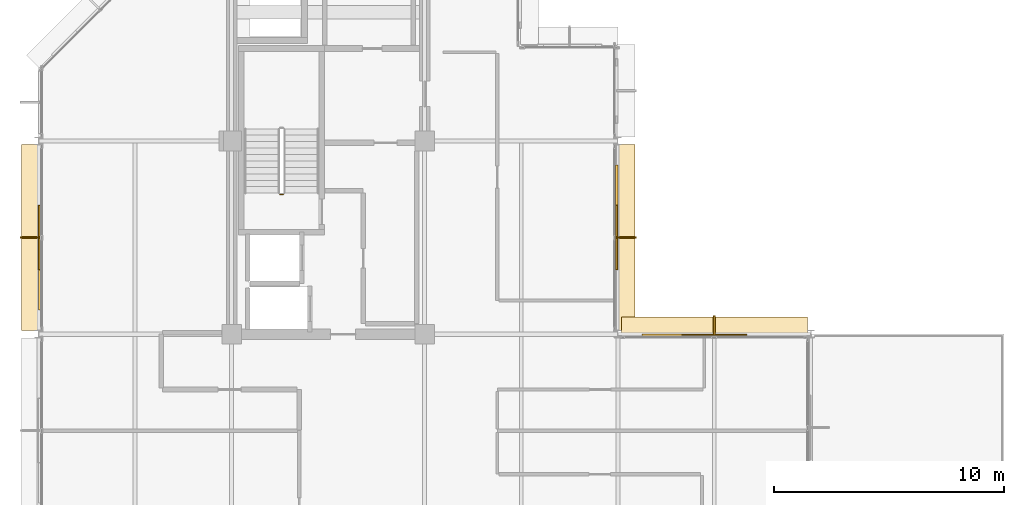
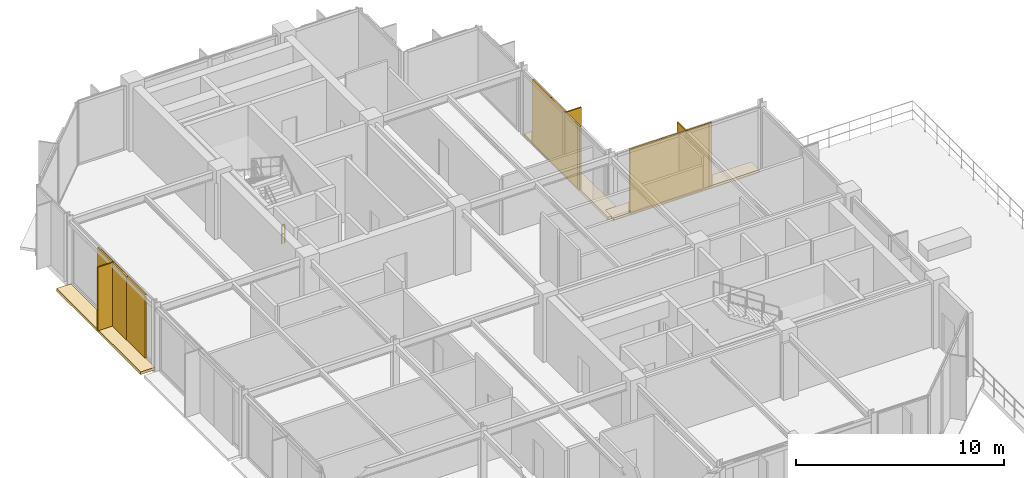
# One storey, part 21 of 23: 6 coverings, 6 shading devices, 1 railing.
"""IFC4 building model written with IfcOpenShell, lengths in metres."""

from ifc_helpers import new_model, si_unit, direction, frame, origin, origin_2d, place, context, subcontext, project, spatial, polyline, rectangle, circle, outline, extrude, material, layer, layer_set, type_object, element, save


model = new_model("IFC4")

# Units and contexts
model_context = context("Model", 3, precision=1e-05, world=origin(), true_north=direction((0.0, 1.0)))
body_context = subcontext(model_context, "Body", "Model", "MODEL_VIEW")
ifc_project = project(units=[si_unit("LENGTHUNIT", "METRE"), si_unit("AREAUNIT", "SQUARE_METRE"), si_unit("VOLUMEUNIT", "CUBIC_METRE"), si_unit("PLANEANGLEUNIT", "RADIAN"), si_unit("MASSUNIT", "GRAM", prefix="KILO")], contexts=[model_context])

# Site, building, storey
site_placement = place(None, origin())
site = spatial("IfcSite", under=ifc_project, at=site_placement, CompositionType="ELEMENT")
building_placement = place(site_placement, origin())
building = spatial("IfcBuilding", under=site, at=building_placement, Name="Nerrivon Quay Data Exchange", CompositionType="ELEMENT")
storey_placement = place(building_placement, frame((0.0, 0.0, 286.199951171875)))
storey = spatial("IfcBuildingStorey", under=building, at=storey_placement, Name="L68", CompositionType="ELEMENT", Elevation=286.199951171875)

# Coverings
ifc_material_1 = material(Name="Architectural terracotta ceramic", Category="masonry")
ifc_layer_1 = layer(ifc_material_1, 0.159912109375)
ifc_layer_set_1 = layer_set([ifc_layer_1], Name="Architectural terracotta ceramic")
covering_type_1 = type_object("IfcCoveringType", Name="COV-BLD-TERR", PredefinedType="CLADDING", material=ifc_layer_set_1)
covering_1_placement = place(storey_placement, frame((0.0, 0.0, -0.159912109375)))
element("IfcCovering", 1, at=covering_1_placement, inside=storey, type_object=covering_type_1, Name="L68 Horizontal Terracotta SOLAR SCREEN Blade", PredefinedType="CLADDING", context=body_context, shape_type="SweptSolid", body=[
    extrude(outline(polyline([(0.0400390625, 25.363525390625), (0.0400390625, 33.4365234375), (-0.75, 33.4365234375), (-0.75, 25.363525390625), (0.0400390625, 25.363525390625)])), origin(), (0.0, 0.0, 1.0), 0.159912109375),
])
covering_2_placement = place(storey_placement, frame((0.0, 0.0, -0.159912109375)))
element("IfcCovering", 2, at=covering_2_placement, inside=storey, type_object=covering_type_1, Name="L68 Horizontal Terracotta SOLAR SCREEN Blade", PredefinedType="CLADDING", context=body_context, shape_type="SweptSolid", body=[
    extrude(outline(polyline([(25.159912109375, 33.4365234375), (25.159912109375, 25.363525390625), (25.949951171875, 25.363525390625), (25.949951171875, 33.4365234375), (25.159912109375, 33.4365234375)])), origin(), (0.0, 0.0, 1.0), 0.159912109375),
])
covering_3_placement = place(storey_placement, frame((0.0, 0.0, -0.159912109375)))
element("IfcCovering", 3, at=covering_3_placement, inside=storey, type_object=covering_type_1, Name="L68 Horizontal Terracotta SOLAR SCREEN Blade", PredefinedType="CLADDING", context=body_context, shape_type="SweptSolid", body=[
    extrude(outline(polyline([(25.35546875, 25.159912109375), (33.444580078125, 25.159912109375), (33.444580078125, 25.949951171875), (25.35546875, 25.949951171875), (25.35546875, 25.159912109375)])), origin(), (0.0, 0.0, 1.0), 0.159912109375),
])
ifc_layer_2 = layer(ifc_material_1, 0.090087890625)
ifc_layer_set_2 = layer_set([ifc_layer_2], Name="Architectural terracotta ceramic")
covering_type_2 = type_object("IfcCoveringType", Name="COV-SCR-TERR", PredefinedType="CLADDING", material=ifc_layer_set_2)
for number, where, z_axis, x_axis, name in (
    (4, (0.044921875, 28.43115234375, 0.0), (0.0, 0.0, 1.0), (0.0, 1.0, 0.0), "L68 Perforated Terracotta SOLAR SCREEN Cassette"),
    (5, (25.155029296875, 30.368896484375, 0.0), (0.0, 0.0, 1.0), (0.0, -1.0, 0.0), "L68 Perforated Terracotta SOLAR SCREEN Cassette"),
):
    element("IfcCovering", number, at=place(storey_placement, frame(where, z_axis=z_axis, x_axis=x_axis)), inside=storey, type_object=covering_type_2, Name=name, PredefinedType="CLADDING", context=body_context, shape_type="SweptSolid", body=[
        extrude(rectangle(XDim=4.35888671875, YDim=0.090087890625, at=origin_2d()), origin(), (0.0, 0.0, 1.0), 3.72509765625),
    ])
covering_4_placement = place(storey_placement, frame((28.42919921875, 25.155029296875, 0.0), z_axis=(0.0, 0.0, 1.0), x_axis=(1.0, 0.0, 0.0)))
element("IfcCovering", 6, at=covering_4_placement, inside=storey, type_object=covering_type_2, Name="L68 Perforated Terracotta SOLAR SCREEN Cassette", PredefinedType="CLADDING", context=body_context, shape_type="SweptSolid", body=[
    extrude(rectangle(XDim=4.367919921875, YDim=0.090087890625, at=origin_2d()), origin(), (0.0, 0.0, 1.0), 3.72509765625),
])

# Railing
ifc_material_2 = material(Name="Steel Grade C350L0 (350 MPa)", Category="steel")
railing_type = type_object("IfcRailingType", Name="RAIL-STAIR-GR1", PredefinedType="BALUSTRADE", material=ifc_material_2)
railing_placement = place(storey_placement, frame((10.64990234375, 31.280029296875, 0.0)))
element("IfcRailing", 7, at=railing_placement, inside=storey, type_object=railing_type, Name="L68 ST01 stair guard 4", PredefinedType="BALUSTRADE", context=body_context, shape_type="SweptSolid", body=[
    extrude(circle(Radius=0.02392578125, at=origin_2d()), frame((0.0, 0.0, 1.076171875), z_axis=(-1.0, 0.0, 0.0), x_axis=(0.0, -1.0, 0.0)), (0.0, 0.0, 1.0), 0.14990234375),
    extrude(circle(Radius=0.02392578125, at=origin_2d()), frame((0.0, 0.0, 0.550048828125), z_axis=(-1.0, 0.0, 0.0), x_axis=(0.0, -1.0, 0.0)), (0.0, 0.0, 1.0), 0.14990234375),
    extrude(circle(Radius=0.02099609375, at=origin_2d()), origin(), (0.0, 0.0, 1.0), 1.052001953125),
    extrude(circle(Radius=0.02099609375, at=origin_2d()), frame((-0.14990234375, 0.0, 0.0)), (0.0, 0.0, 1.0), 1.052001953125),
])

# Shading devices
ifc_layer_3 = layer(ifc_material_1, 0.074951171875)
ifc_layer_set_3 = layer_set([ifc_layer_3], Name="Architectural terracotta ceramic")
shading_device_type_1 = type_object("IfcShadingDeviceType", Name="SHD-FIN-SS02", PredefinedType="USERDEFINED", material=ifc_layer_set_3)
for number, where, z_axis, x_axis, name in (
    (8, (-0.3798828125, 29.39990234375, 0.0), (0.0, 0.0, 1.0), (0.0, 1.0, 0.0), "L68 Subtropical Solar Fin Blade 13"),
    (9, (25.580078125, 29.39990234375, 0.0), (0.0, 0.0, 1.0), (0.0, -1.0, 0.0), "L68 Subtropical Solar Fin Blade 22"),
    (10, (29.39990234375, 25.580078125, 0.0), (0.0, 0.0, 1.0), (1.0, 0.0, 0.0), "L68 Subtropical Solar Fin Blade 23"),
):
    element("IfcShadingDevice", number, at=place(storey_placement, frame(where, z_axis=z_axis, x_axis=x_axis)), inside=storey, type_object=shading_device_type_1, Name=name, ObjectType="FIN", PredefinedType="USERDEFINED", context=body_context, shape_type="SweptSolid", body=[
        extrude(rectangle(XDim=0.074951171875, YDim=0.85009765625, at=origin_2d()), origin(), (0.0, 0.0, 1.0), 3.72509765625),
    ])
ifc_layer_4 = layer(ifc_material_1, 0.0849609375)
ifc_layer_set_4 = layer_set([ifc_layer_4], Name="Architectural terracotta ceramic")
shading_device_type_2 = type_object("IfcShadingDeviceType", Name="SHD-SCR-SS01", PredefinedType="USERDEFINED", material=ifc_layer_set_4)
for number, where, z_axis, x_axis, name in (
    (11, (0.0400390625, 29.39990234375, 0.0), (0.0, 0.0, 1.0), (0.0, 1.0, 0.0), "L68 Perforated Terracotta Solar Screen 13"),
    (12, (25.159912109375, 29.39990234375, 0.0), (0.0, 0.0, 1.0), (0.0, -1.0, 0.0), "L68 Perforated Terracotta Solar Screen 22"),
    (13, (29.39990234375, 25.159912109375, 0.0), (0.0, 0.0, 1.0), (1.0, 0.0, 0.0), "L68 Perforated Terracotta Solar Screen 23"),
):
    element("IfcShadingDevice", number, at=place(storey_placement, frame(where, z_axis=z_axis, x_axis=x_axis)), inside=storey, type_object=shading_device_type_2, Name=name, ObjectType="SCREEN", PredefinedType="USERDEFINED", context=body_context, shape_type="SweptSolid", body=[
        extrude(rectangle(XDim=2.800048828125, YDim=0.0849609375, at=origin_2d()), origin(), (0.0, 0.0, 1.0), 3.72509765625),
    ])

save(model, "model.ifc")
